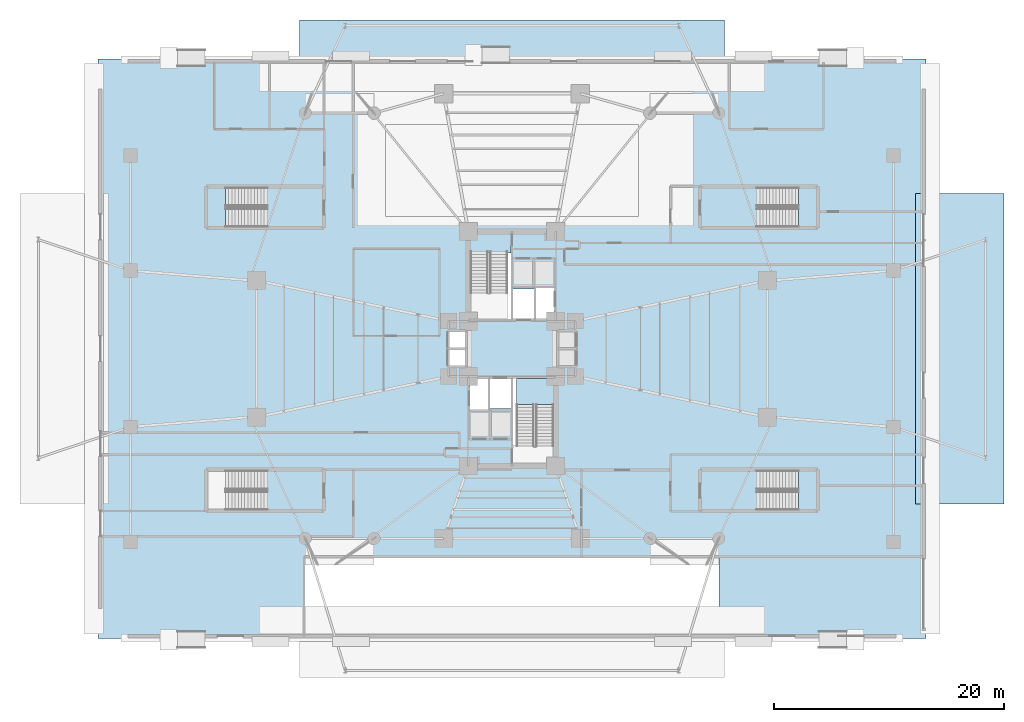
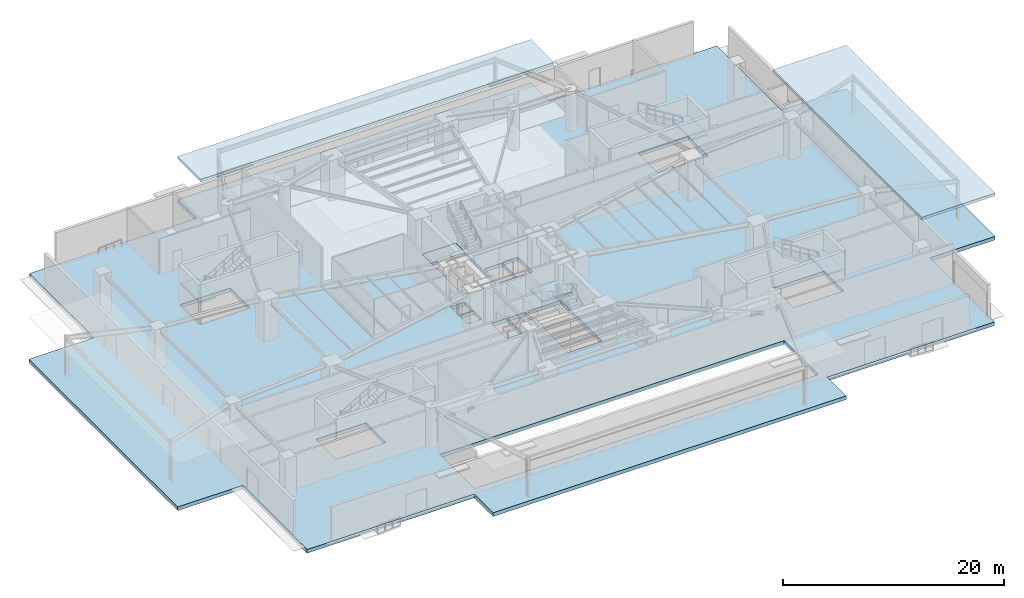
# One storey, part 12 of 31: 8 slabs, 4 elements without a shape of their own.
"""IFC4 building model written with IfcOpenShell, lengths in metres."""

from ifc_helpers import new_model, si_unit, direction, frame, origin, place, context, subcontext, project, spatial, polyline, outline, extrude, material, layer, layer_set, type_object, element, aggregate, save


model = new_model("IFC4")

# Units and contexts
model_context = context("Model", 3, precision=1e-05, world=origin(), true_north=direction((0.0, 1.0)))
body_context = subcontext(model_context, "Body", "Model", "MODEL_VIEW")
ifc_project = project(units=[si_unit("LENGTHUNIT", "METRE"), si_unit("AREAUNIT", "SQUARE_METRE"), si_unit("VOLUMEUNIT", "CUBIC_METRE"), si_unit("PLANEANGLEUNIT", "RADIAN"), si_unit("MASSUNIT", "GRAM", prefix="KILO")], contexts=[model_context])

# Site, building, storey
site_placement = place(None, origin())
site = spatial("IfcSite", under=ifc_project, at=site_placement, CompositionType="ELEMENT")
building_placement = place(site_placement, origin())
building = spatial("IfcBuilding", under=site, at=building_placement, Name="Sahyath Konkavel Grand Hotel", CompositionType="ELEMENT")
storey_placement = place(building_placement, origin())
storey = spatial("IfcBuildingStorey", under=building, at=storey_placement, Name="L00", CompositionType="ELEMENT", Elevation=0.0)

# Slabs
ifc_material_1 = material(Name="Concrete C50/60", Category="concrete")
ifc_layer_1 = layer(ifc_material_1, 0.39990234375)
ifc_layer_set_1 = layer_set([ifc_layer_1], Name="Concrete C50/60")
slab_type_1 = type_object("IfcSlabType", Name="SLB-400", PredefinedType="FLOOR", material=ifc_layer_set_1)
slab_1_placement = place(storey_placement, frame((0.0, 0.0, -0.39990234375)))
element("IfcSlab", 1, at=slab_1_placement, inside=storey, type_object=slab_type_1, Name="L00 Structural Floor Slab", PredefinedType="FLOOR", context=body_context, shape_type="SweptSolid", body=[
    extrude(outline(polyline([(-18.5, -28.60009765625), (18.5, -28.60009765625), (18.5, -25.199951171875), (36.0, -25.199951171875), (36.0, -13.5), (42.800048828125, -13.5), (42.800048828125, 13.5), (36.0, 13.5), (36.0, 25.199951171875), (18.5, 25.199951171875), (18.5, 28.60009765625), (-18.5, 28.60009765625), (-18.5, 25.199951171875), (-36.0, 25.199951171875), (-36.0, 13.5), (-42.800048828125, 13.5), (-42.800048828125, -13.5), (-36.0, -13.5), (-36.0, -25.199951171875), (-18.5, -25.199951171875), (-18.5, -28.60009765625)]), holes=[polyline([(-3.6201171875, 2.580078125), (-0.10009765625, 2.580078125), (-0.10009765625, 10.02001953125), (-3.6201171875, 10.02001953125), (-3.6201171875, 2.580078125)]), polyline([(0.10009765625, -10.02001953125), (3.6201171875, -10.02001953125), (3.6201171875, -2.580078125), (0.10009765625, -2.580078125), (0.10009765625, -10.02001953125)]), polyline([(-26.60009765625, 10.52001953125), (-21.35009765625, 10.52001953125), (-21.35009765625, 14.10009765625), (-26.60009765625, 14.10009765625), (-26.60009765625, 10.52001953125)]), polyline([(21.35009765625, 10.52001953125), (26.60009765625, 10.52001953125), (26.60009765625, 14.10009765625), (21.35009765625, 14.10009765625), (21.35009765625, 10.52001953125)]), polyline([(-26.60009765625, -14.10009765625), (-21.35009765625, -14.10009765625), (-21.35009765625, -10.52001953125), (-26.60009765625, -10.52001953125), (-26.60009765625, -14.10009765625)]), polyline([(21.35009765625, -14.10009765625), (26.60009765625, -14.10009765625), (26.60009765625, -10.52001953125), (21.35009765625, -10.52001953125), (21.35009765625, -14.10009765625)]), polyline([(-18.0, -24.39990234375), (18.0, -24.39990234375), (18.0, -18.199951171875), (-18.0, -18.199951171875), (-18.0, -24.39990234375)]), polyline([(0.10009765625, 2.60009765625), (1.949951171875, 2.60009765625), (1.949951171875, 5.199951171875), (0.10009765625, 5.199951171875), (0.10009765625, 2.60009765625)]), polyline([(-1.949951171875, -5.199951171875), (-0.10009765625, -5.199951171875), (-0.10009765625, -2.60009765625), (-1.949951171875, -2.60009765625), (-1.949951171875, -5.199951171875)]), polyline([(2.050048828125, 2.60009765625), (3.64990234375, 2.60009765625), (3.64990234375, 5.300048828125), (2.050048828125, 5.300048828125), (2.050048828125, 2.60009765625)]), polyline([(-3.64990234375, -5.300048828125), (-2.050048828125, -5.300048828125), (-2.050048828125, -2.60009765625), (-3.64990234375, -2.60009765625), (-3.64990234375, -5.300048828125)]), polyline([(-5.550048828125, 0.080078125), (-4.050048828125, 0.080078125), (-4.050048828125, 1.5400390625), (-5.550048828125, 1.5400390625), (-5.550048828125, 0.080078125)]), polyline([(-5.550048828125, -1.5400390625), (-4.050048828125, -1.5400390625), (-4.050048828125, -0.080078125), (-5.550048828125, -0.080078125), (-5.550048828125, -1.5400390625)])]), origin(), (0.0, 0.0, 1.0), 0.39990234375),
])
ifc_material_2 = material(Name="Concrete C40/50", Category="concrete")
ifc_layer_2 = layer(ifc_material_2, 0.300048828125)
ifc_layer_set_2 = layer_set([ifc_layer_2], Name="Concrete C40/50")
slab_type_2 = type_object("IfcSlabType", Name="SLB-POD-ROOF", PredefinedType="ROOF", material=ifc_layer_set_2)
slab_2_placement = place(storey_placement, frame((0.0, 0.0, 4.47998046875)))
element("IfcSlab", 2, at=slab_2_placement, inside=storey, type_object=slab_type_2, Name="L00 East Metro Portal Roof Slab", PredefinedType="ROOF", context=body_context, shape_type="SweptSolid", body=[
    extrude(outline(polyline([(35.10009765625, -13.5), (42.800048828125, -13.5), (42.800048828125, 13.5), (35.10009765625, 13.5), (35.10009765625, -13.5)])), origin(), (0.0, 0.0, 1.0), 0.300048828125),
])
slab_3_placement = place(storey_placement, frame((0.0, 0.0, 4.47998046875)))
element("IfcSlab", 3, at=slab_3_placement, inside=storey, type_object=slab_type_2, Name="L00 North Portico Wing Roof Slab", PredefinedType="ROOF", context=body_context, shape_type="SweptSolid", body=[
    extrude(outline(polyline([(-18.5, 24.39990234375), (18.5, 24.39990234375), (18.5, 28.60009765625), (-18.5, 28.60009765625), (-18.5, 24.39990234375)])), origin(), (0.0, 0.0, 1.0), 0.300048828125),
])

# Stair, slab
stair_type = type_object("IfcStairType", Name="STR-ST16-480", PredefinedType="HALF_TURN_STAIR", material=ifc_material_2)
stair_1_placement = place(storey_placement, origin())
stair_1 = element("IfcStair", 4, at=stair_1_placement, inside=storey, type_object=stair_type, Name="L00 South Core Smokeproof Exit Stair ST-2", PredefinedType="HALF_TURN_STAIR")
ifc_layer_3 = layer(ifc_material_2, 0.199951171875)
ifc_layer_set_3 = layer_set([ifc_layer_3], Name="Concrete C40/50")
slab_type_3 = type_object("IfcSlabType", Name="SLB-STAIR-LND", PredefinedType="LANDING", material=ifc_layer_set_3)
slab_4_placement = place(storey_placement, frame((0.0, 0.0, 2.199951171875)))
slab_4 = element("IfcSlab", 5, at=slab_4_placement, type_object=slab_type_3, Name="ST-2 landing 1", PredefinedType="LANDING", context=body_context, shape_type="SweptSolid", body=[
    extrude(outline(polyline([(3.60009765625, -4.840087890625), (3.60009765625, -2.60009765625), (0.39990234375, -2.60009765625), (0.39990234375, -4.840087890625), (3.60009765625, -4.840087890625)])), origin(), (0.0, 0.0, 1.0), 0.199951171875),
])
aggregate(stair_1, [slab_4])

# Slab
slab_5_placement = place(storey_placement, frame((0.0, 0.0, -0.199951171875)))
element("IfcSlab", 6, at=slab_5_placement, inside=storey, type_object=slab_type_3, Name="L00 Stair ST-1 Floor Landing Slab", PredefinedType="LANDING", context=body_context, shape_type="SweptSolid", body=[
    extrude(outline(polyline([(-3.6201171875, 8.35009765625), (-0.10009765625, 8.35009765625), (-0.10009765625, 10.02001953125), (-3.6201171875, 10.02001953125), (-3.6201171875, 8.35009765625)])), origin(), (0.0, 0.0, 1.0), 0.199951171875),
])

# Stair, slab
stair_2_placement = place(storey_placement, origin())
stair_2 = element("IfcStair", 7, at=stair_2_placement, inside=storey, type_object=stair_type, Name="L00 Podium Protected Exit Stair ST-P1", PredefinedType="HALF_TURN_STAIR")
slab_6_placement = place(storey_placement, frame((0.0, 0.0, 2.199951171875)))
slab_6 = element("IfcSlab", 8, at=slab_6_placement, type_object=slab_type_3, Name="ST-P1 landing 1", PredefinedType="LANDING", context=body_context, shape_type="SweptSolid", body=[
    extrude(outline(polyline([(-24.929931640625, 14.0400390625), (-26.580078125, 14.0400390625), (-26.580078125, 10.580078125), (-24.929931640625, 10.580078125), (-24.929931640625, 14.0400390625)])), origin(), (0.0, 0.0, 1.0), 0.199951171875),
])
aggregate(stair_2, [slab_6])

stair_3_placement = place(storey_placement, origin())
stair_3 = element("IfcStair", 9, at=stair_3_placement, inside=storey, type_object=stair_type, Name="L00 Podium Protected Exit Stair ST-P2", PredefinedType="HALF_TURN_STAIR")
slab_7_placement = place(storey_placement, frame((0.0, 0.0, 2.199951171875)))
slab_7 = element("IfcSlab", 10, at=slab_7_placement, type_object=slab_type_3, Name="ST-P2 landing 1", PredefinedType="LANDING", context=body_context, shape_type="SweptSolid", body=[
    extrude(outline(polyline([(24.929931640625, 10.580078125), (26.580078125, 10.580078125), (26.580078125, 14.0400390625), (24.929931640625, 14.0400390625), (24.929931640625, 10.580078125)])), origin(), (0.0, 0.0, 1.0), 0.199951171875),
])
aggregate(stair_3, [slab_7])

stair_4_placement = place(storey_placement, origin())
stair_4 = element("IfcStair", 11, at=stair_4_placement, inside=storey, type_object=stair_type, Name="L00 Podium Protected Exit Stair ST-P4", PredefinedType="HALF_TURN_STAIR")
slab_8_placement = place(storey_placement, frame((0.0, 0.0, 2.199951171875)))
slab_8 = element("IfcSlab", 12, at=slab_8_placement, type_object=slab_type_3, Name="ST-P4 landing 1", PredefinedType="LANDING", context=body_context, shape_type="SweptSolid", body=[
    extrude(outline(polyline([(24.929931640625, -14.0400390625), (26.580078125, -14.0400390625), (26.580078125, -10.580078125), (24.929931640625, -10.580078125), (24.929931640625, -14.0400390625)])), origin(), (0.0, 0.0, 1.0), 0.199951171875),
])
aggregate(stair_4, [slab_8])

save(model, "model.ifc")
